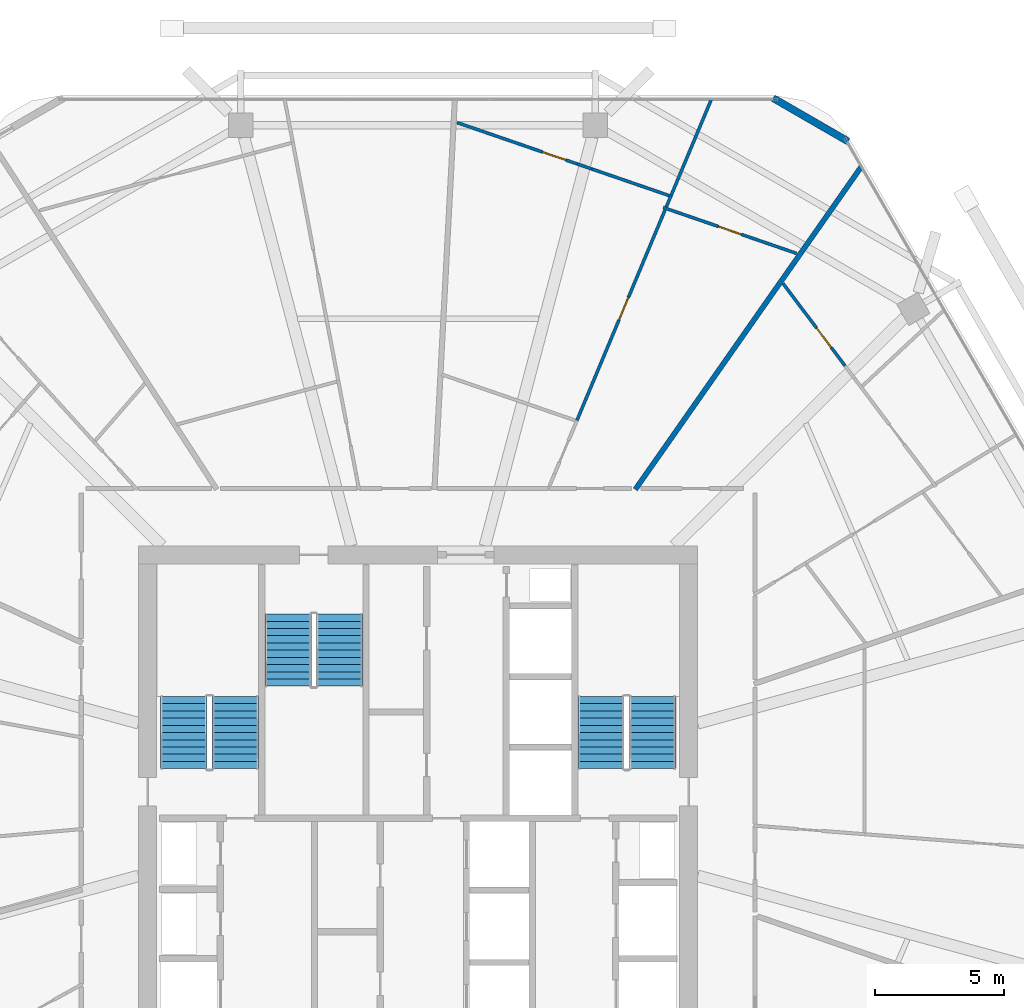
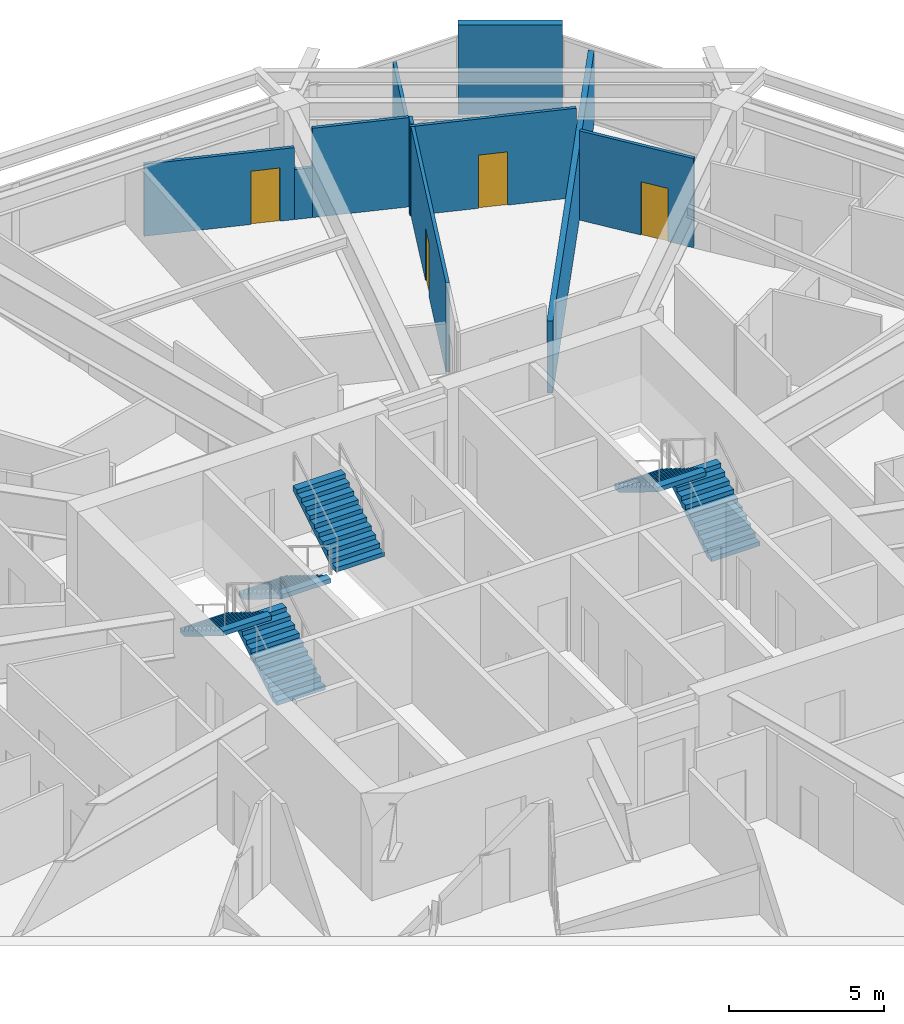
# One storey, part 25 of 28: 10 walls, 6 stair flights, 4 doors, 4 openings, 3 elements without a shape of their own.
"""IFC4 building model written with IfcOpenShell, lengths in metres."""

from ifc_helpers import new_model, si_unit, direction, frame, frame_2d, origin, place, context, subcontext, project, spatial, polyline, rectangle, outline, extrude, material, layer, layer_set, type_object, element, fill, aggregate, save


model = new_model("IFC4")

# Units and contexts
model_context = context("Model", 3, precision=1e-05, world=origin(), true_north=direction((0.0, 1.0)))
body_context = subcontext(model_context, "Body", "Model", "MODEL_VIEW")
ifc_project = project(units=[si_unit("LENGTHUNIT", "METRE"), si_unit("AREAUNIT", "SQUARE_METRE"), si_unit("VOLUMEUNIT", "CUBIC_METRE"), si_unit("PLANEANGLEUNIT", "RADIAN"), si_unit("MASSUNIT", "GRAM", prefix="KILO")], contexts=[model_context])

# Site, building, storey
site_placement = place(None, origin())
site = spatial("IfcSite", under=ifc_project, at=site_placement, CompositionType="ELEMENT")
building_placement = place(site_placement, origin())
building = spatial("IfcBuilding", under=site, at=building_placement, Name="Zuhravey Tower", CompositionType="ELEMENT")
storey_placement = place(building_placement, frame((0.0, 0.0, 222.60009765625)))
storey = spatial("IfcBuildingStorey", under=building, at=storey_placement, Name="L56", CompositionType="ELEMENT", Elevation=222.60009765625)

# Walls
ifc_material_1 = material(Name="Precast concrete C40/50", Category="concrete")
ifc_layer_1 = layer(ifc_material_1, 0.280029296875)
ifc_layer_set_1 = layer_set([ifc_layer_1], Name="Precast concrete C40/50")
wall_type_1 = type_object("IfcWallType", Name="Crown Architectural Wall 280", PredefinedType="SOLIDWALL", material=ifc_layer_set_1)
wall_1_placement = place(storey_placement, frame((49.77880859375, 59.230712890625, 0.0), z_axis=(0.0, 0.0, 1.0), x_axis=(0.866020068361, -0.500009241111, 0.0)))
element("IfcWall", 1, at=wall_1_placement, inside=storey, type_object=wall_type_1, Name="L56 Rounded Corner Closure Wall EW28-10", PredefinedType="SOLIDWALL", context=body_context, shape_type="SweptSolid", body=[
    extrude(rectangle(XDim=3.365234375, YDim=0.280029296875, at=frame_2d((1.6826171875, 0.0))), origin(), (0.0, 0.0, 1.0), 3.52001953125),
])
ifc_material_2 = material(Name="Gypsum double-stud party assembly")
ifc_layer_2 = layer(ifc_material_2, 0.199951171875)
ifc_layer_set_2 = layer_set([ifc_layer_2], Name="Gypsum double-stud party assembly")
wall_type_2 = type_object("IfcWallType", Name="Inter-Tenancy Party Wall 200", PredefinedType="PARTITIONING", material=ifc_layer_set_2)
wall_2_placement = place(storey_placement, frame((44.430419921875, 44.0400390625, 0.0), z_axis=(0.0, 0.0, 1.0), x_axis=(0.573576964884, 0.819151674206, 0.0)))
element("IfcWall", 2, at=wall_2_placement, inside=storey, type_object=wall_type_2, Name="L56 IW20 Partition 077", PredefinedType="PARTITIONING", context=body_context, shape_type="SweptSolid", body=[
    extrude(rectangle(XDim=15.295166015625, YDim=0.199951171875, at=frame_2d((7.6474609375, 0.0))), origin(), (0.0, 0.0, 1.0), 2.83984375),
])

# Wall, opening, door
ifc_material_3 = material(Name="Gypsum metal-stud partition")
ifc_layer_3 = layer(ifc_material_3, 0.1201171875)
ifc_layer_set_3 = layer_set([ifc_layer_3], Name="Gypsum metal-stud partition")
wall_type_3 = type_object("IfcWallType", Name="Unit Internal Partition 120", PredefinedType="PARTITIONING", material=ifc_layer_set_3)
wall_3_placement = place(storey_placement, frame((52.57275390625, 48.836669921875, 0.0), z_axis=(0.0, 0.0, 1.0), x_axis=(-0.601814700081, 0.798635753499, 0.0)))
wall_3 = element("IfcWall", 3, at=wall_3_placement, inside=storey, type_object=wall_type_3, Name="L56 IW12 Partition 021", PredefinedType="PARTITIONING", context=body_context, shape_type="SweptSolid", body=[
    extrude(rectangle(XDim=4.000244140625, YDim=0.1201171875, at=frame_2d((2.0, 0.0))), origin(), (0.0, 0.0, 1.0), 3.52001953125),
])
opening_1_placement = place(wall_3_placement, frame((0.88671875, 0.0, 0.0)))
opening_1 = element("IfcOpeningElement", 4, at=opening_1_placement, cuts=wall_3, Name="Opening IND1", PredefinedType="OPENING", context=body_context, shape_type="SweptSolid", body=[
    extrude(rectangle(XDim=0.949951171875, YDim=2.10009765625, at=frame_2d((0.47509765625, 1.050048828125))), frame((0.0, 0.072021484375, 0.0), z_axis=(0.0, -1.0, 0.0), x_axis=(1.0, 0.0, 0.0)), (0.0, 0.0, 1.0), 0.14404296875),
])
ifc_material_4 = material(Name="Painted engineered timber leaf", Category="wood")
door_type = type_object("IfcDoorType", Name="Internal Room & Bedroom Door 950x2100", OperationType="NOTDEFINED", PredefinedType="DOOR", material=ifc_material_4)
door_1_placement = place(opening_1_placement, frame((0.949951171875, 0.0, 0.0), z_axis=(0.0, 0.0, 1.0), x_axis=(-1.0, 0.0, 0.0)))
door_1 = element("IfcDoor", 5, at=door_1_placement, inside=storey, type_object=door_type, Name="Apartment L56-01 Dining Room Door", OperationType="SINGLE_SWING_RIGHT", OverallHeight=2.10009765625, OverallWidth=0.949951171875, PredefinedType="DOOR", context=body_context, shape_type="SweptSolid", body=[
    extrude(rectangle(XDim=0.949951171875, YDim=2.10009765625, at=frame_2d((0.47509765625, 1.050048828125))), frame((0.0, 0.02490234375, 0.0), z_axis=(0.0, -1.0, 0.0), x_axis=(1.0, 0.0, 0.0)), (0.0, 0.0, 1.0), 0.050048828125),
])
fill(opening_1, door_1)

wall_4_placement = place(storey_placement, frame((50.692138671875, 53.20068359375, 0.0), z_axis=(0.0, 0.0, 1.0), x_axis=(-0.945511260009, 0.325589399698, 0.0)))
wall_4 = element("IfcWall", 6, at=wall_4_placement, inside=storey, type_object=wall_type_3, Name="L56 IW12 Partition 026", PredefinedType="PARTITIONING", context=body_context, shape_type="SweptSolid", body=[
    extrude(rectangle(XDim=5.475341796875, YDim=0.1201171875, at=frame_2d((2.73779296875, 0.0))), origin(), (0.0, 0.0, 1.0), 3.52001953125),
])
opening_2_placement = place(wall_4_placement, frame((2.2626953125, 0.0, 0.0)))
opening_2 = element("IfcOpeningElement", 7, at=opening_2_placement, cuts=wall_4, Name="Opening IND1", PredefinedType="OPENING", context=body_context, shape_type="SweptSolid", body=[
    extrude(rectangle(XDim=0.949951171875, YDim=2.10009765625, at=frame_2d((0.47509765625, 1.050048828125))), frame((0.0, 0.072021484375, 0.0), z_axis=(0.0, -1.0, 0.0), x_axis=(1.0, 0.0, 0.0)), (0.0, 0.0, 1.0), 0.14404296875),
])
door_2_placement = place(opening_2_placement, frame((0.949951171875, 0.0, 0.0), z_axis=(0.0, 0.0, 1.0), x_axis=(-1.0, 0.0, 0.0)))
door_2 = element("IfcDoor", 8, at=door_2_placement, inside=storey, type_object=door_type, Name="Apartment L56-02 Family Study Door", OperationType="SINGLE_SWING_LEFT", OverallHeight=2.10009765625, OverallWidth=0.949951171875, PredefinedType="DOOR", context=body_context, shape_type="SweptSolid", body=[
    extrude(rectangle(XDim=0.949951171875, YDim=2.10009765625, at=frame_2d((0.47509765625, 1.050048828125))), frame((0.0, 0.02490234375, 0.0), z_axis=(0.0, -1.0, 0.0), x_axis=(1.0, 0.0, 0.0)), (0.0, 0.0, 1.0), 0.050048828125),
])
fill(opening_2, door_2)

wall_5_placement = place(storey_placement, frame((42.164306640625, 46.721435546875, 0.0), z_axis=(0.0, 0.0, 1.0), x_axis=(0.386200840547, 0.922414717337, 0.0)))
wall_5 = element("IfcWall", 9, at=wall_5_placement, inside=storey, type_object=wall_type_3, Name="L56 IW12 Partition 028", PredefinedType="PARTITIONING", context=body_context, shape_type="SweptSolid", body=[
    extrude(rectangle(XDim=8.853515625, YDim=0.1201171875, at=frame_2d((4.4267578125, 0.0))), origin(), (0.0, 0.0, 1.0), 3.52001953125),
])
opening_3_placement = place(wall_5_placement, frame((4.2294921875, 0.0, 0.0)))
opening_3 = element("IfcOpeningElement", 10, at=opening_3_placement, cuts=wall_5, Name="Opening IND1", PredefinedType="OPENING", context=body_context, shape_type="SweptSolid", body=[
    extrude(rectangle(XDim=0.949951171875, YDim=2.10009765625, at=frame_2d((0.47509765625, 1.050048828125))), frame((0.0, 0.072021484375, 0.0), z_axis=(0.0, -1.0, 0.0), x_axis=(1.0, 0.0, 0.0)), (0.0, 0.0, 1.0), 0.14404296875),
])
door_3_placement = place(opening_3_placement, origin())
door_3 = element("IfcDoor", 11, at=door_3_placement, inside=storey, type_object=door_type, Name="Apartment L56-02 Home Office Door", OperationType="SINGLE_SWING_LEFT", OverallHeight=2.10009765625, OverallWidth=0.949951171875, PredefinedType="DOOR", context=body_context, shape_type="SweptSolid", body=[
    extrude(rectangle(XDim=0.949951171875, YDim=2.10009765625, at=frame_2d((0.47509765625, 1.050048828125))), frame((0.0, 0.02490234375, 0.0), z_axis=(0.0, -1.0, 0.0), x_axis=(1.0, 0.0, 0.0)), (0.0, 0.0, 1.0), 0.050048828125),
])
fill(opening_3, door_3)

# Wall
wall_6_placement = place(storey_placement, frame((45.63623046875, 55.013671875, 0.0), z_axis=(0.0, 0.0, 1.0), x_axis=(0.38631298857, 0.922367754674, 0.0)))
element("IfcWall", 12, at=wall_6_placement, inside=storey, type_object=wall_type_3, Name="L56 IW12 Partition 029", PredefinedType="PARTITIONING", context=body_context, shape_type="SweptSolid", body=[
    extrude(rectangle(XDim=0.469482421875, YDim=0.1201171875, at=frame_2d((0.23486328125, 0.0))), origin(), (0.0, 0.0, 1.0), 3.52001953125),
])

# Wall, opening, door
wall_7_placement = place(storey_placement, frame((42.180419921875, 56.6728515625, 0.0), z_axis=(0.0, 0.0, 1.0), x_axis=(-0.945515151848, 0.325578097583, 0.0)))
wall_7 = element("IfcWall", 13, at=wall_7_placement, inside=storey, type_object=wall_type_3, Name="L56 IW12 Partition 030", PredefinedType="PARTITIONING", context=body_context, shape_type="SweptSolid", body=[
    extrude(rectangle(XDim=4.9423828125, YDim=0.1201171875, at=frame_2d((2.47119140625, 0.0))), origin(), (0.0, 0.0, 1.0), 2.83984375),
])
opening_4_placement = place(wall_7_placement, frame((0.4716796875, 0.0, 0.0)))
opening_4 = element("IfcOpeningElement", 14, at=opening_4_placement, cuts=wall_7, Name="Opening IND1", PredefinedType="OPENING", context=body_context, shape_type="SweptSolid", body=[
    extrude(rectangle(XDim=0.949951171875, YDim=2.10009765625, at=frame_2d((0.47509765625, 1.050048828125))), frame((0.0, 0.072021484375, 0.0), z_axis=(0.0, -1.0, 0.0), x_axis=(1.0, 0.0, 0.0)), (0.0, 0.0, 1.0), 0.14404296875),
])
door_4_placement = place(opening_4_placement, frame((0.949951171875, 0.0, 0.0), z_axis=(0.0, 0.0, 1.0), x_axis=(-1.0, 0.0, 0.0)))
door_4 = element("IfcDoor", 15, at=door_4_placement, inside=storey, type_object=door_type, Name="Apartment L56-02 Kitchen Door", OperationType="SINGLE_SWING_RIGHT", OverallHeight=2.10009765625, OverallWidth=0.949951171875, PredefinedType="DOOR", context=body_context, shape_type="SweptSolid", body=[
    extrude(rectangle(XDim=0.949951171875, YDim=2.10009765625, at=frame_2d((0.47509765625, 1.050048828125))), frame((0.0, 0.02490234375, 0.0), z_axis=(0.0, -1.0, 0.0), x_axis=(1.0, 0.0, 0.0)), (0.0, 0.0, 1.0), 0.050048828125),
])
fill(opening_4, door_4)

# Walls
wall_8_placement = place(storey_placement, frame((45.817626953125, 55.44677734375, 0.0), z_axis=(0.0, 0.0, 1.0), x_axis=(0.386222700776, 0.922405564492, 0.0)))
element("IfcWall", 16, at=wall_8_placement, inside=storey, type_object=wall_type_3, Name="L56 IW12 Partition 079", PredefinedType="PARTITIONING", context=body_context, shape_type="SweptSolid", body=[
    extrude(rectangle(XDim=4.0537109375, YDim=0.1201171875, at=frame_2d((2.02685546875, 0.0))), origin(), (0.0, 0.0, 1.0), 2.83984375),
])
wall_9_placement = place(storey_placement, frame((42.74365234375, 56.47900390625, 0.0), z_axis=(0.0, 0.0, 1.0), x_axis=(-0.945564467275, 0.325434844827, 0.0)))
element("IfcWall", 17, at=wall_9_placement, inside=storey, type_object=wall_type_3, Name="L56 IW12 Partition 081", PredefinedType="PARTITIONING", context=body_context, shape_type="SweptSolid", body=[
    extrude(rectangle(XDim=0.595703125, YDim=0.1201171875, at=frame_2d((0.2978515625, 0.0))), origin(), (0.0, 0.0, 1.0), 1.969970703125),
])
wall_10_placement = place(storey_placement, frame((45.743408203125, 55.44580078125, 0.0), z_axis=(0.0, 0.0, 1.0), x_axis=(-0.945489042274, 0.325653912827, 0.0)))
element("IfcWall", 18, at=wall_10_placement, inside=storey, type_object=wall_type_3, Name="L56 IW12 Partition 082", PredefinedType="PARTITIONING", context=body_context, shape_type="SweptSolid", body=[
    extrude(rectangle(XDim=3.172607421875, YDim=0.1201171875, at=frame_2d((1.58642578125, 0.0))), origin(), (0.0, 0.0, 1.0), 3.52001953125),
])

# Stair, stair flights
ifc_material_5 = material(Name="Concrete C40/50", Category="concrete")
stair_type = type_object("IfcStairType", Name="Housing Storey Stair Assembly 3800", PredefinedType="HALF_TURN_STAIR", material=ifc_material_5)
stair_1_placement = place(storey_placement, origin())
stair_1 = element("IfcStair", 19, at=stair_1_placement, inside=storey, type_object=stair_type, Name="L56 Core Exit Stair ST1", PredefinedType="HALF_TURN_STAIR")
stair_flight_type = type_object("IfcStairFlightType", Name="Housing Storey Stair Flight 3800", PredefinedType="STRAIGHT", material=ifc_material_5)
stair_flight_1_placement = place(storey_placement, frame((28.89990234375, 33.199951171875, 0.0), z_axis=(0.0, 0.0, 1.0), x_axis=(0.0, 1.0, 0.0)))
stair_flight_1 = element("IfcStairFlight", 20, at=stair_flight_1_placement, type_object=stair_flight_type, Name="ST1 flight 1", NumberOfRisers=11, NumberOfTreads=10, PredefinedType="STRAIGHT", RiserHeight=0.172727273, TreadLength=0.28, context=body_context, shape_type="SweptSolid", body=[
    extrude(outline(polyline([(0.0, 0.0), (0.0, 0.172607421875), (0.280029296875, 0.172607421875), (0.280029296875, 0.345458984375), (0.56005859375, 0.345458984375), (0.56005859375, 0.51806640625), (0.840087890625, 0.51806640625), (0.840087890625, 0.69091796875), (1.1201171875, 0.69091796875), (1.1201171875, 0.863525390625), (1.39990234375, 0.863525390625), (1.39990234375, 1.036376953125), (1.679931640625, 1.036376953125), (1.679931640625, 1.208984375), (1.9599609375, 1.208984375), (1.9599609375, 1.3818359375), (2.239990234375, 1.3818359375), (2.239990234375, 1.554443359375), (2.52001953125, 1.554443359375), (2.52001953125, 1.727294921875), (2.800048828125, 1.727294921875), (2.800048828125, 1.89990234375), (2.800048828125, 1.551025390625), (0.285400390625, 0.0), (0.0, 0.0)])), frame((0.0, 0.89990234375, 0.0), z_axis=(0.0, -1.0, 0.0), x_axis=(1.0, 0.0, 0.0)), (0.0, 0.0, 1.0), 1.800048828125),
])
stair_flight_2_placement = place(storey_placement, frame((26.89990234375, 36.0, 1.89990234375), z_axis=(0.0, 0.0, 1.0), x_axis=(0.0, -1.0, 0.0)))
stair_flight_2 = element("IfcStairFlight", 21, at=stair_flight_2_placement, type_object=stair_flight_type, Name="ST1 flight 2", NumberOfRisers=11, NumberOfTreads=10, PredefinedType="STRAIGHT", RiserHeight=0.172727273, TreadLength=0.28, context=body_context, shape_type="SweptSolid", body=[
    extrude(outline(polyline([(0.0, 0.0), (0.0, 0.172607421875), (0.280029296875, 0.172607421875), (0.280029296875, 0.345458984375), (0.56005859375, 0.345458984375), (0.56005859375, 0.51806640625), (0.840087890625, 0.51806640625), (0.840087890625, 0.69091796875), (1.1201171875, 0.69091796875), (1.1201171875, 0.863525390625), (1.39990234375, 0.863525390625), (1.39990234375, 1.036376953125), (1.679931640625, 1.036376953125), (1.679931640625, 1.208984375), (1.9599609375, 1.208984375), (1.9599609375, 1.3818359375), (2.239990234375, 1.3818359375), (2.239990234375, 1.554443359375), (2.52001953125, 1.554443359375), (2.52001953125, 1.727294921875), (2.800048828125, 1.727294921875), (2.800048828125, 1.89990234375), (2.800048828125, 1.551025390625), (0.285400390625, 0.0), (0.0, 0.0)])), frame((0.0, 0.89990234375, 0.0), z_axis=(0.0, -1.0, 0.0), x_axis=(1.0, 0.0, 0.0)), (0.0, 0.0, 1.0), 1.800048828125),
])
aggregate(stair_1, [stair_flight_1, stair_flight_2])

stair_2_placement = place(storey_placement, origin())
stair_2 = element("IfcStair", 22, at=stair_2_placement, inside=storey, type_object=stair_type, Name="L56 Core Exit Stair ST2", PredefinedType="HALF_TURN_STAIR")
stair_flight_3_placement = place(storey_placement, frame((45.10009765625, 33.199951171875, 0.0), z_axis=(0.0, 0.0, 1.0), x_axis=(0.0, 1.0, 0.0)))
stair_flight_3 = element("IfcStairFlight", 23, at=stair_flight_3_placement, type_object=stair_flight_type, Name="ST2 flight 1", NumberOfRisers=11, NumberOfTreads=10, PredefinedType="STRAIGHT", RiserHeight=0.172727273, TreadLength=0.28, context=body_context, shape_type="SweptSolid", body=[
    extrude(outline(polyline([(0.0, 0.0), (0.0, 0.172607421875), (0.280029296875, 0.172607421875), (0.280029296875, 0.345458984375), (0.56005859375, 0.345458984375), (0.56005859375, 0.51806640625), (0.840087890625, 0.51806640625), (0.840087890625, 0.69091796875), (1.1201171875, 0.69091796875), (1.1201171875, 0.863525390625), (1.39990234375, 0.863525390625), (1.39990234375, 1.036376953125), (1.679931640625, 1.036376953125), (1.679931640625, 1.208984375), (1.9599609375, 1.208984375), (1.9599609375, 1.3818359375), (2.239990234375, 1.3818359375), (2.239990234375, 1.554443359375), (2.52001953125, 1.554443359375), (2.52001953125, 1.727294921875), (2.800048828125, 1.727294921875), (2.800048828125, 1.89990234375), (2.800048828125, 1.551025390625), (0.285400390625, 0.0), (0.0, 0.0)])), frame((0.0, 0.89990234375, 0.0), z_axis=(0.0, -1.0, 0.0), x_axis=(1.0, 0.0, 0.0)), (0.0, 0.0, 1.0), 1.800048828125),
])
stair_flight_4_placement = place(storey_placement, frame((43.10009765625, 36.0, 1.89990234375), z_axis=(0.0, 0.0, 1.0), x_axis=(0.0, -1.0, 0.0)))
stair_flight_4 = element("IfcStairFlight", 24, at=stair_flight_4_placement, type_object=stair_flight_type, Name="ST2 flight 2", NumberOfRisers=11, NumberOfTreads=10, PredefinedType="STRAIGHT", RiserHeight=0.172727273, TreadLength=0.28, context=body_context, shape_type="SweptSolid", body=[
    extrude(outline(polyline([(0.0, 0.0), (0.0, 0.172607421875), (0.280029296875, 0.172607421875), (0.280029296875, 0.345458984375), (0.56005859375, 0.345458984375), (0.56005859375, 0.51806640625), (0.840087890625, 0.51806640625), (0.840087890625, 0.69091796875), (1.1201171875, 0.69091796875), (1.1201171875, 0.863525390625), (1.39990234375, 0.863525390625), (1.39990234375, 1.036376953125), (1.679931640625, 1.036376953125), (1.679931640625, 1.208984375), (1.9599609375, 1.208984375), (1.9599609375, 1.3818359375), (2.239990234375, 1.3818359375), (2.239990234375, 1.554443359375), (2.52001953125, 1.554443359375), (2.52001953125, 1.727294921875), (2.800048828125, 1.727294921875), (2.800048828125, 1.89990234375), (2.800048828125, 1.551025390625), (0.285400390625, 0.0), (0.0, 0.0)])), frame((0.0, 0.89990234375, 0.0), z_axis=(0.0, -1.0, 0.0), x_axis=(1.0, 0.0, 0.0)), (0.0, 0.0, 1.0), 1.800048828125),
])
aggregate(stair_2, [stair_flight_3, stair_flight_4])

stair_3_placement = place(storey_placement, origin())
stair_3 = element("IfcStair", 25, at=stair_3_placement, inside=storey, type_object=stair_type, Name="L56 Core Exit Stair ST3", PredefinedType="HALF_TURN_STAIR")
stair_flight_5_placement = place(storey_placement, frame((30.949951171875, 39.199951171875, 0.0), z_axis=(0.0, 0.0, 1.0), x_axis=(0.0, -1.0, 0.0)))
stair_flight_5 = element("IfcStairFlight", 26, at=stair_flight_5_placement, type_object=stair_flight_type, Name="ST3 flight 1", NumberOfRisers=11, NumberOfTreads=10, PredefinedType="STRAIGHT", RiserHeight=0.172727273, TreadLength=0.28, context=body_context, shape_type="SweptSolid", body=[
    extrude(outline(polyline([(0.0, 0.0), (0.0, 0.172607421875), (0.280029296875, 0.172607421875), (0.280029296875, 0.345458984375), (0.56005859375, 0.345458984375), (0.56005859375, 0.51806640625), (0.840087890625, 0.51806640625), (0.840087890625, 0.69091796875), (1.1201171875, 0.69091796875), (1.1201171875, 0.863525390625), (1.39990234375, 0.863525390625), (1.39990234375, 1.036376953125), (1.679931640625, 1.036376953125), (1.679931640625, 1.208984375), (1.9599609375, 1.208984375), (1.9599609375, 1.3818359375), (2.239990234375, 1.3818359375), (2.239990234375, 1.554443359375), (2.52001953125, 1.554443359375), (2.52001953125, 1.727294921875), (2.800048828125, 1.727294921875), (2.800048828125, 1.89990234375), (2.800048828125, 1.551025390625), (0.285400390625, 0.0), (0.0, 0.0)])), frame((0.0, 0.89990234375, 0.0), z_axis=(0.0, -1.0, 0.0), x_axis=(1.0, 0.0, 0.0)), (0.0, 0.0, 1.0), 1.800048828125),
])
stair_flight_6_placement = place(storey_placement, frame((32.949951171875, 36.39990234375, 1.89990234375), z_axis=(0.0, 0.0, 1.0), x_axis=(0.0, 1.0, 0.0)))
stair_flight_6 = element("IfcStairFlight", 27, at=stair_flight_6_placement, type_object=stair_flight_type, Name="ST3 flight 2", NumberOfRisers=11, NumberOfTreads=10, PredefinedType="STRAIGHT", RiserHeight=0.172727273, TreadLength=0.28, context=body_context, shape_type="SweptSolid", body=[
    extrude(outline(polyline([(0.0, 0.0), (0.0, 0.172607421875), (0.280029296875, 0.172607421875), (0.280029296875, 0.345458984375), (0.56005859375, 0.345458984375), (0.56005859375, 0.51806640625), (0.840087890625, 0.51806640625), (0.840087890625, 0.69091796875), (1.1201171875, 0.69091796875), (1.1201171875, 0.863525390625), (1.39990234375, 0.863525390625), (1.39990234375, 1.036376953125), (1.679931640625, 1.036376953125), (1.679931640625, 1.208984375), (1.9599609375, 1.208984375), (1.9599609375, 1.3818359375), (2.239990234375, 1.3818359375), (2.239990234375, 1.554443359375), (2.52001953125, 1.554443359375), (2.52001953125, 1.727294921875), (2.800048828125, 1.727294921875), (2.800048828125, 1.89990234375), (2.800048828125, 1.551025390625), (0.285400390625, 0.0), (0.0, 0.0)])), frame((0.0, 0.89990234375, 0.0), z_axis=(0.0, -1.0, 0.0), x_axis=(1.0, 0.0, 0.0)), (0.0, 0.0, 1.0), 1.800048828125),
])
aggregate(stair_3, [stair_flight_5, stair_flight_6])

save(model, "model.ifc")
